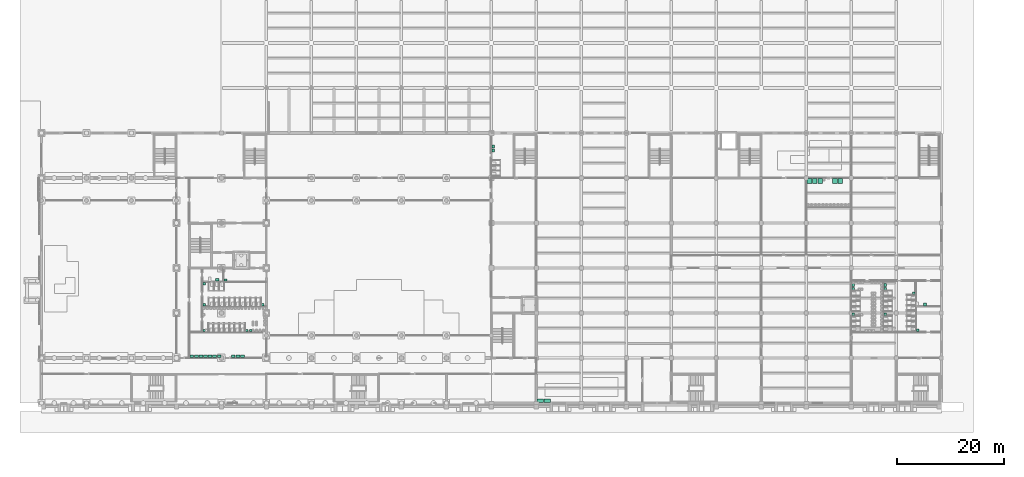
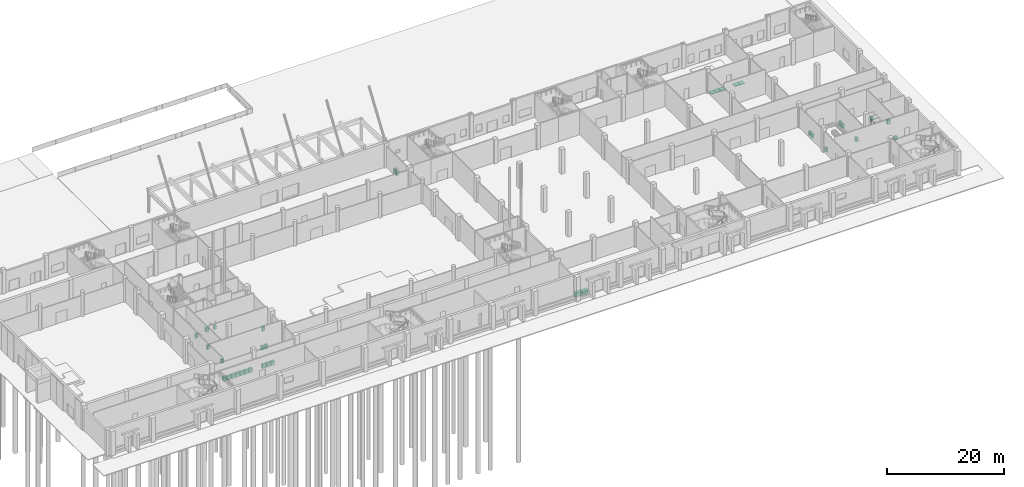
# One storey, part 70 of 74: 36 sanitary terminals.
"""IFC4 building model written with IfcOpenShell, lengths in metres."""

from ifc_helpers import new_model, si_unit, direction, frame, origin, origin_2d, place, context, subcontext, project, spatial, rectangle, extrude, material, type_object, element, save


model = new_model("IFC4")

# Units and contexts
model_context = context("Model", 3, precision=1e-05, world=origin(), true_north=direction((0.0, 1.0)))
body_context = subcontext(model_context, "Body", "Model", "MODEL_VIEW")
ifc_project = project(units=[si_unit("LENGTHUNIT", "METRE"), si_unit("AREAUNIT", "SQUARE_METRE"), si_unit("VOLUMEUNIT", "CUBIC_METRE"), si_unit("PLANEANGLEUNIT", "RADIAN"), si_unit("MASSUNIT", "GRAM", prefix="KILO")], contexts=[model_context])

# Site, building, storey
site_placement = place(None, origin())
site = spatial("IfcSite", under=ifc_project, at=site_placement, CompositionType="ELEMENT")
building_placement = place(site_placement, origin())
building = spatial("IfcBuilding", under=site, at=building_placement, Name="Rulbaag Community and Learning Centre", CompositionType="ELEMENT")
storey_placement = place(building_placement, origin())
storey = spatial("IfcBuildingStorey", under=building, at=storey_placement, Name="L00", CompositionType="ELEMENT", Elevation=0.0)

# Sanitary terminals
ifc_material_1 = material(Name="Vitreous china", Category="ceramic")
sanitary_terminal_type_1 = type_object("IfcSanitaryTerminalType", Name="BS-500", PredefinedType="WASHHANDBASIN", material=ifc_material_1)
for number, where, z_axis, x_axis, name in (
    (1, (30.3798828125, 13.544921875, 0.0), (0.0, 0.0, 1.0), (1.0, 0.0, 0.0), "Basin 01"),
    (2, (38.330078125, 13.544921875, 0.0), (0.0, 0.0, 1.0), (1.0, 0.0, 0.0), "Basin 02"),
    (3, (39.080078125, 13.544921875, 0.0), (0.0, 0.0, 1.0), (1.0, 0.0, 0.0), "Basin 03"),
):
    element("IfcSanitaryTerminal", number, at=place(storey_placement, frame(where, z_axis=z_axis, x_axis=x_axis)), inside=storey, type_object=sanitary_terminal_type_1, Name=name, PredefinedType="WASHHANDBASIN", context=body_context, shape_type="SweptSolid", body=[
        extrude(rectangle(XDim=0.5, YDim=0.429931640625, at=origin_2d()), origin(), (0.0, 0.0, 1.0), 0.85009765625),
    ])
for number, where, z_axis, x_axis, name in (
    (4, (151.544921875, 16.530029296875, 0.0), (0.0, 0.0, 1.0), (1.0, 0.0, 0.0), "Basin 04"),
    (5, (151.544921875, 21.280029296875, 0.0), (0.0, 0.0, 1.0), (1.0, 0.0, 0.0), "Basin 05"),
    (6, (151.544921875, 22.030029296875, 0.0), (0.0, 0.0, 1.0), (1.0, 0.0, 0.0), "Basin 06"),
    (7, (84.344970703125, 47.1298828125, 0.0), (0.0, 0.0, 1.0), (1.0, 0.0, 0.0), "Basin 07"),
    (8, (84.344970703125, 47.8798828125, 0.0), (0.0, 0.0, 1.0), (1.0, 0.0, 0.0), "Basin 08"),
    (9, (157.544921875, 16.530029296875, 0.0), (0.0, 0.0, 1.0), (1.0, 0.0, 0.0), "Basin 09"),
    (10, (157.544921875, 21.280029296875, 0.0), (0.0, 0.0, 1.0), (1.0, 0.0, 0.0), "Basin 10"),
    (11, (157.544921875, 22.030029296875, 0.0), (0.0, 0.0, 1.0), (1.0, 0.0, 0.0), "Basin 11"),
    (12, (162.85498046875, 20.47998046875, 0.0), (0.0, 0.0, 1.0), (1.0, 0.0, 0.0), "Basin 12"),
):
    element("IfcSanitaryTerminal", number, at=place(storey_placement, frame(where, z_axis=z_axis, x_axis=x_axis)), inside=storey, type_object=sanitary_terminal_type_1, Name=name, PredefinedType="WASHHANDBASIN", context=body_context, shape_type="SweptSolid", body=[
        extrude(rectangle(XDim=0.429931640625, YDim=0.5, at=origin_2d()), origin(), (0.0, 0.0, 1.0), 0.85009765625),
    ])
for number, where, z_axis, x_axis, name in (
    (13, (30.3798828125, 18.344970703125, 0.0), (0.0, 0.0, 1.0), (1.0, 0.0, 0.0), "Basin 13"),
    (14, (41.280029296875, 18.344970703125, 0.0), (0.0, 0.0, 1.0), (1.0, 0.0, 0.0), "Basin 14"),
    (15, (30.3798828125, 22.2548828125, 0.0), (0.0, 0.0, 1.0), (1.0, 0.0, 0.0), "Basin 15"),
):
    element("IfcSanitaryTerminal", number, at=place(storey_placement, frame(where, z_axis=z_axis, x_axis=x_axis)), inside=storey, type_object=sanitary_terminal_type_1, Name=name, PredefinedType="WASHHANDBASIN", context=body_context, shape_type="SweptSolid", body=[
        extrude(rectangle(XDim=0.5, YDim=0.429931640625, at=origin_2d()), origin(), (0.0, 0.0, 1.0), 0.85009765625),
    ])
sanitary_terminal_type_2 = type_object("IfcSanitaryTerminalType", Name="BS-AB-700", PredefinedType="WASHHANDBASIN", material=ifc_material_1)
for number, where, z_axis, x_axis, name in (
    (16, (28.080078125, 8.7548828125, 0.0), (0.0, 0.0, 1.0), (1.0, 0.0, 0.0), "Basin 01"),
    (17, (28.929931640625, 8.7548828125, 0.0), (0.0, 0.0, 1.0), (1.0, 0.0, 0.0), "Basin 02"),
    (18, (29.780029296875, 8.7548828125, 0.0), (0.0, 0.0, 1.0), (1.0, 0.0, 0.0), "Basin 03"),
    (19, (30.6298828125, 8.7548828125, 0.0), (0.0, 0.0, 1.0), (1.0, 0.0, 0.0), "Basin 04"),
    (20, (31.47998046875, 8.7548828125, 0.0), (0.0, 0.0, 1.0), (1.0, 0.0, 0.0), "Basin 05"),
    (21, (32.330078125, 8.7548828125, 0.0), (0.0, 0.0, 1.0), (1.0, 0.0, 0.0), "Basin 06"),
    (22, (33.179931640625, 8.7548828125, 0.0), (0.0, 0.0, 1.0), (1.0, 0.0, 0.0), "Basin 07"),
    (23, (35.830078125, 8.7548828125, 0.0), (0.0, 0.0, 1.0), (1.0, 0.0, 0.0), "Basin 08"),
    (24, (36.679931640625, 8.7548828125, 0.0), (0.0, 0.0, 1.0), (1.0, 0.0, 0.0), "Basin 09"),
    (25, (37.530029296875, 8.7548828125, 0.0), (0.0, 0.0, 1.0), (1.0, 0.0, 0.0), "Basin 10"),
):
    element("IfcSanitaryTerminal", number, at=place(storey_placement, frame(where, z_axis=z_axis, x_axis=x_axis)), inside=storey, type_object=sanitary_terminal_type_2, Name=name, PredefinedType="WASHHANDBASIN", context=body_context, shape_type="SweptSolid", body=[
        extrude(rectangle(XDim=0.699951171875, YDim=0.449951171875, at=origin_2d()), origin(), (0.0, 0.0, 1.0), 0.85009765625),
    ])
sanitary_terminal_type_3 = type_object("IfcSanitaryTerminalType", Name="BS-AC-600", PredefinedType="WASHHANDBASIN", material=ifc_material_1)
for number, where, z_axis, x_axis, name in (
    (26, (32.830078125, 22.97998046875, 0.0), (0.0, 0.0, 1.0), (1.0, 0.0, 0.0), "Basin 16"),
    (27, (164.929931640625, 18.3798828125, 0.0), (0.0, 0.0, 1.0), (1.0, 0.0, 0.0), "Basin 17"),
):
    element("IfcSanitaryTerminal", number, at=place(storey_placement, frame(where, z_axis=z_axis, x_axis=x_axis)), inside=storey, type_object=sanitary_terminal_type_3, Name=name, PredefinedType="WASHHANDBASIN", context=body_context, shape_type="SweptSolid", body=[
        extrude(rectangle(XDim=0.60009765625, YDim=0.5, at=origin_2d()), origin(), (0.0, 0.0, 1.0), 0.85009765625),
    ])
sanitary_terminal_type_4 = type_object("IfcSanitaryTerminalType", Name="SH-90-900", PredefinedType="SHOWER", material=ifc_material_1)
for number, where, z_axis, x_axis, name in (
    (28, (143.3798828125, 41.419921875, 0.0), (0.0, 0.0, 1.0), (1.0, 0.0, 0.0), "Shower 01"),
    (29, (144.3798828125, 41.419921875, 0.0), (0.0, 0.0, 1.0), (1.0, 0.0, 0.0), "Shower 02"),
    (30, (145.3798828125, 41.419921875, 0.0), (0.0, 0.0, 1.0), (1.0, 0.0, 0.0), "Shower 03"),
    (31, (148.1298828125, 41.419921875, 0.0), (0.0, 0.0, 1.0), (1.0, 0.0, 0.0), "Shower 04"),
    (32, (149.1298828125, 41.419921875, 0.0), (0.0, 0.0, 1.0), (1.0, 0.0, 0.0), "Shower 05"),
):
    element("IfcSanitaryTerminal", number, at=place(storey_placement, frame(where, z_axis=z_axis, x_axis=x_axis)), inside=storey, type_object=sanitary_terminal_type_4, Name=name, PredefinedType="SHOWER", context=body_context, shape_type="SweptSolid", body=[
        extrude(rectangle(XDim=0.89990234375, YDim=0.89990234375, at=origin_2d()), origin(), (0.0, 0.0, 1.0), 0.14990234375),
    ])
ifc_material_2 = material(Name="Stainless steel", Category="steel")
sanitary_terminal_type_5 = type_object("IfcSanitaryTerminalType", Name="SK-CL-500", PredefinedType="SINK", material=ifc_material_2)
for number, where, z_axis, x_axis, name in (
    (33, (34.3798828125, 22.955078125, 0.0), (0.0, 0.0, 1.0), (1.0, 0.0, 0.0), "Sink 04"),
    (34, (163.580078125, 13.554931640625, 0.0), (0.0, 0.0, 1.0), (1.0, 0.0, 0.0), "Sink 05"),
):
    element("IfcSanitaryTerminal", number, at=place(storey_placement, frame(where, z_axis=z_axis, x_axis=x_axis)), inside=storey, type_object=sanitary_terminal_type_5, Name=name, PredefinedType="SINK", context=body_context, shape_type="SweptSolid", body=[
        extrude(rectangle(XDim=0.5, YDim=0.449951171875, at=origin_2d()), origin(), (0.0, 0.0, 1.0), 0.800048828125),
    ])
sanitary_terminal_type_6 = type_object("IfcSanitaryTerminalType", Name="SK-KT-1200", PredefinedType="SINK", material=ifc_material_2)
for number, where, z_axis, x_axis, name in (
    (35, (93.1298828125, 0.429931640625, 0.0), (0.0, 0.0, 1.0), (1.0, 0.0, 0.0), "Sink 01"),
    (36, (94.429931640625, 0.429931640625, 0.0), (0.0, 0.0, 1.0), (1.0, 0.0, 0.0), "Sink 02"),
):
    element("IfcSanitaryTerminal", number, at=place(storey_placement, frame(where, z_axis=z_axis, x_axis=x_axis)), inside=storey, type_object=sanitary_terminal_type_6, Name=name, PredefinedType="SINK", context=body_context, shape_type="SweptSolid", body=[
        extrude(rectangle(XDim=1.199951171875, YDim=0.60009765625, at=origin_2d()), origin(), (0.0, 0.0, 1.0), 0.89990234375),
    ])

save(model, "model.ifc")
